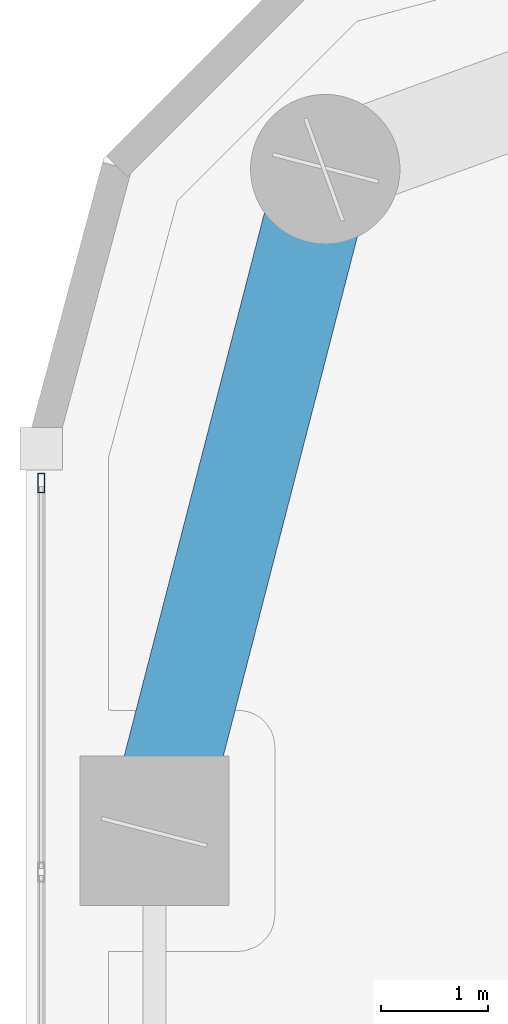
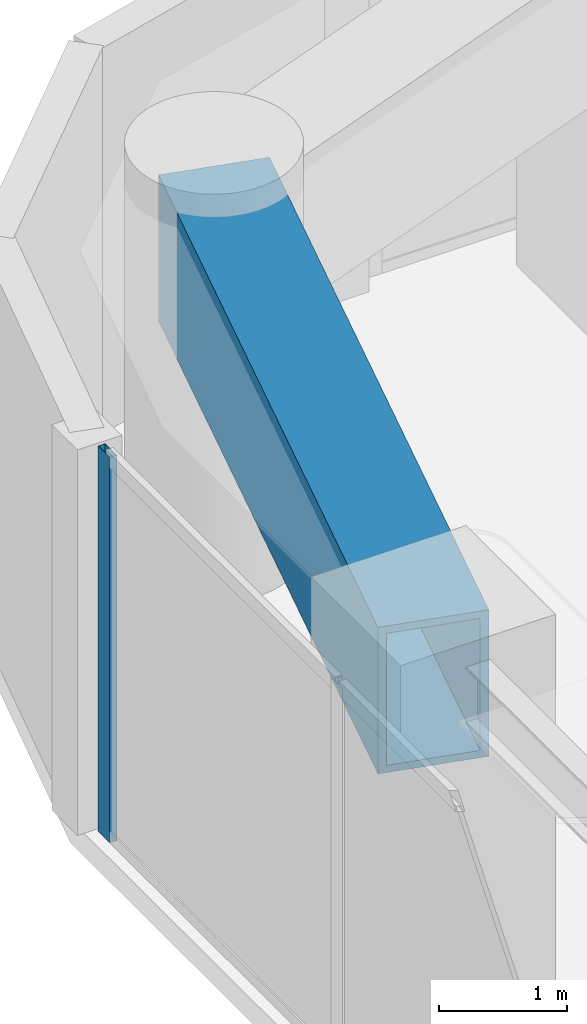
# One storey, part 15 of 31: 1 beam, 1 member, 1 element without a shape of its own.
"""IFC4 building model written with IfcOpenShell, lengths in metres."""

from ifc_helpers import new_model, si_unit, direction, frame, origin, origin_2d, place, context, subcontext, project, spatial, hollow_rectangle, extrude, material, layer, layer_set, material_profile, profile_set, type_object, element, aggregate, save


model = new_model("IFC4")

# Units and contexts
model_context = context("Model", 3, precision=1e-05, world=origin(), true_north=direction((0.0, 1.0)))
body_context = subcontext(model_context, "Body", "Model", "MODEL_VIEW")
ifc_project = project(units=[si_unit("LENGTHUNIT", "METRE"), si_unit("AREAUNIT", "SQUARE_METRE"), si_unit("VOLUMEUNIT", "CUBIC_METRE"), si_unit("PLANEANGLEUNIT", "RADIAN"), si_unit("MASSUNIT", "GRAM", prefix="KILO")], contexts=[model_context])

# Site, building, storey
site_placement = place(None, origin())
site = spatial("IfcSite", under=ifc_project, at=site_placement, CompositionType="ELEMENT")
building_placement = place(site_placement, origin())
building = spatial("IfcBuilding", under=site, at=building_placement, Name="Kiyonajd Concourse Tower", CompositionType="ELEMENT")
storey_placement = place(building_placement, frame((0.0, 0.0, 158.39990234375)))
storey = spatial("IfcBuildingStorey", under=building, at=storey_placement, Name="L40", CompositionType="ELEMENT", Elevation=158.39990234375)

# Beam
ifc_material_1 = material(Name="Steel ASTM A572 Grade 50", Category="steel")
ifc_material_profile_1 = material_profile(ifc_material_1, hollow_rectangle(XDim=0.89990234375, YDim=1.39990234375, WallThickness=0.070068359375, at=origin_2d()), Name="BOX-1400x900x70")
ifc_profile_set_1 = profile_set([ifc_material_profile_1], Name="Steel ASTM A572 Grade 50")
beam_type = type_object("IfcBeamType", Name="BM-XFER-1400", PredefinedType="BEAM", material=ifc_profile_set_1)
beam_placement = place(storey_placement, frame((20.800048828125, 59.60009765625, 2.97998046875), z_axis=(-0.249884937687, -0.968275538221, 0.0), x_axis=(0.968275538221, -0.249884937687, 0.0)))
element("IfcBeam", 1, at=beam_placement, inside=storey, type_object=beam_type, Name="L40 Perimeter Bundled Tube Spandrel", PredefinedType="BEAM", context=body_context, shape_type="SweptSolid", body=[
    extrude(hollow_rectangle(XDim=0.89990234375, YDim=1.39990234375, WallThickness=0.070068359375, at=origin_2d()), origin(), (0.0, 0.0, 1.0), 6.4033203125),
])

# Curtain wall, member
ifc_material_2 = material(Name="Thermally Broken Anodised Aluminium", Category="aluminium")
ifc_layer = layer(ifc_material_2, 0.179931640625)
ifc_layer_set = layer_set([ifc_layer], Name="Thermally Broken Anodised Aluminium")
curtain_wall_type = type_object("IfcCurtainWallType", Name="CW-SYS-03", PredefinedType="NOTDEFINED", material=ifc_layer_set)
curtain_wall_placement = place(storey_placement, origin())
curtain_wall = element("IfcCurtainWall", 2, at=curtain_wall_placement, inside=storey, type_object=curtain_wall_type, Name="L40 Unitised Curtain Wall CW3", PredefinedType="NOTDEFINED")
ifc_material_profile_2 = material_profile(ifc_material_2, hollow_rectangle(XDim=0.06494140625, YDim=0.179931640625, WallThickness=0.00390625, at=origin_2d()), Name="MULL-65x180")
ifc_profile_set_2 = profile_set([ifc_material_profile_2], Name="Thermally Broken Anodised Aluminium")
member_type = type_object("IfcMemberType", Name="MB-CW-MULL1", PredefinedType="MULLION", material=ifc_profile_set_2)
member_placement = place(storey_placement, frame((18.139892578125, 56.6591796875, 0.0), z_axis=(0.0, 0.0, 1.0), x_axis=(-1.0, 0.0, 0.0)))
member = element("IfcMember", 3, at=member_placement, type_object=member_type, Name="CW3 mullion 7", PredefinedType="MULLION", context=body_context, shape_type="SweptSolid", body=[
    extrude(hollow_rectangle(XDim=0.06494140625, YDim=0.179931640625, WallThickness=0.00390625, at=origin_2d()), origin(), (0.0, 0.0, 1.0), 3.68017578125),
])
aggregate(curtain_wall, [member])

save(model, "model.ifc")
